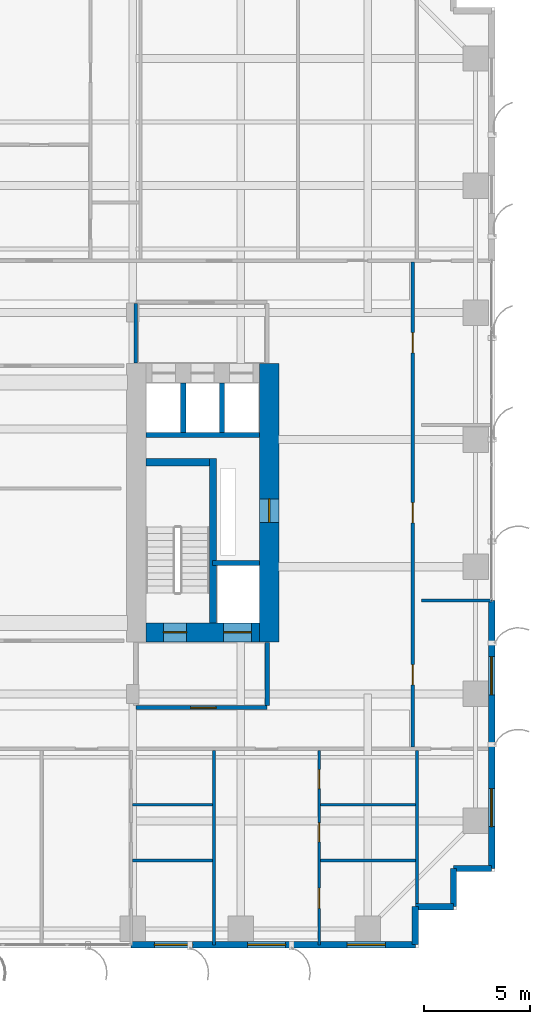
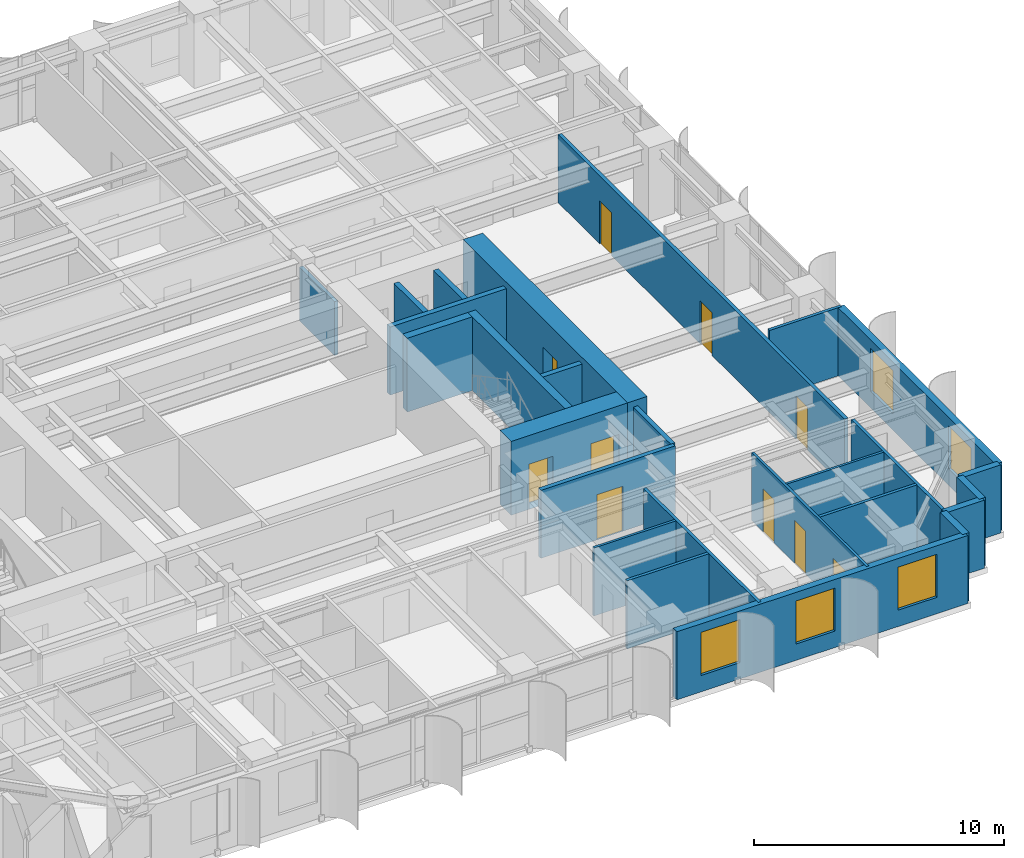
# One storey, part 17 of 23: 26 walls, 10 doors, 5 windows, 15 openings.
"""IFC4 building model written with IfcOpenShell, lengths in metres."""

from ifc_helpers import new_model, si_unit, direction, frame, frame_2d, origin, place, context, subcontext, project, spatial, rectangle, extrude, source, transform, mapped, material, layer, layer_set, type_object, element, fill, save


model = new_model("IFC4")

# Units and contexts
model_context = context("Model", 3, precision=1e-05, world=origin(), true_north=direction((0.0, 1.0)))
body_context = subcontext(model_context, "Body", "Model", "MODEL_VIEW")
ifc_project = project(units=[si_unit("LENGTHUNIT", "METRE"), si_unit("AREAUNIT", "SQUARE_METRE"), si_unit("VOLUMEUNIT", "CUBIC_METRE"), si_unit("PLANEANGLEUNIT", "RADIAN"), si_unit("MASSUNIT", "GRAM", prefix="KILO")], contexts=[model_context])

# Site, building, storey
site_placement = place(None, origin())
site = spatial("IfcSite", under=ifc_project, at=site_placement, CompositionType="ELEMENT")
building_placement = place(site_placement, origin())
building = spatial("IfcBuilding", under=site, at=building_placement, Name="Khoralis Quay Care Tower", CompositionType="ELEMENT")
storey_placement = place(building_placement, frame((0.0, 0.0, 33.300048828125)))
storey = spatial("IfcBuildingStorey", under=building, at=storey_placement, Name="L08", CompositionType="ELEMENT", Elevation=33.300048828125)

# Wall, opening, door
ifc_material_1 = material(Name="Gypsum plasterboard on acoustic metal stud")
ifc_layer_1 = layer(ifc_material_1, 0.199951171875)
ifc_layer_set_1 = layer_set([ifc_layer_1], Name="Gypsum plasterboard on acoustic metal stud")
wall_type_1 = type_object("IfcWallType", Name="WL-COMP-200", PredefinedType="PARTITIONING", material=ifc_layer_set_1)
wall_1_placement = place(storey_placement, frame((31.050048828125, 11.35009765625, 0.0), z_axis=(0.0, 0.0, 1.0), x_axis=(1.0, 0.0, 0.0)))
wall_1 = element("IfcWall", 1, at=wall_1_placement, inside=storey, type_object=wall_type_1, Name="L08 East Firefighting Lobby South Wall", PredefinedType="PARTITIONING", context=body_context, shape_type="SweptSolid", body=[
    extrude(rectangle(XDim=6.199951171875, YDim=0.199951171875, at=frame_2d((3.10009765625, 0.0))), origin(), (0.0, 0.0, 1.0), 3.320068359375),
])
opening_1_placement = place(wall_1_placement, frame((2.585693359375, 0.0, 0.0)))
opening_1 = element("IfcOpeningElement", 2, at=opening_1_placement, cuts=wall_1, Name="Opening FD1", PredefinedType="OPENING", context=body_context, shape_type="SweptSolid", body=[
    extrude(rectangle(XDim=1.199951171875, YDim=2.199951171875, at=frame_2d((0.60009765625, 1.10009765625))), frame((0.0, 0.10986328125, 0.0), z_axis=(0.0, -1.0, 0.0), x_axis=(1.0, 0.0, 0.0)), (0.0, 0.0, 1.0), 0.219970703125),
])
ifc_material_2 = material(Name="Fire-rated painted steel", Category="steel")
door_type_1 = type_object("IfcDoorType", Name="DR-FFL-1200X2200", OperationType="NOTDEFINED", PredefinedType="DOOR", material=ifc_material_2)
shared_shape_1 = source(origin(), body_context, "Body", "SweptSolid", [
    extrude(rectangle(XDim=1.199951171875, YDim=2.199951171875, at=frame_2d((0.60009765625, 1.10009765625))), frame((0.0, 0.02490234375, 0.0), z_axis=(0.0, -1.0, 0.0), x_axis=(1.0, 0.0, 0.0)), (0.0, 0.0, 1.0), 0.050048828125),
])
door_1_placement = place(opening_1_placement, origin())
door_1 = element("IfcDoor", 3, at=door_1_placement, inside=storey, type_object=door_type_1, Name="L08 East Firefighting Lobby Fire Door", OperationType="SINGLE_SWING_LEFT", OverallHeight=2.199951171875, OverallWidth=1.199951171875, PredefinedType="DOOR", context=body_context, shape_type="MappedRepresentation", body=[
    mapped(shared_shape_1, transform((0.0, 0.0, 0.0), scale=1.0)),
])
fill(opening_1, door_1)

# Wall
wall_2_placement = place(storey_placement, frame((37.25, 11.445068359375, 0.0), z_axis=(0.0, 0.0, 1.0), x_axis=(0.0, 1.0, 0.0)))
element("IfcWall", 4, at=wall_2_placement, inside=storey, type_object=wall_type_1, Name="L08 East Firefighting Lobby East Wall", PredefinedType="PARTITIONING", context=body_context, shape_type="SweptSolid", body=[
    extrude(rectangle(XDim=2.98486328125, YDim=0.199951171875, at=frame_2d((1.492431640625, 0.0))), origin(), (0.0, 0.0, 1.0), 3.320068359375),
])

# Wall, opening, door
ifc_material_3 = material(Name="Concrete C80/95", Category="concrete")
ifc_layer_2 = layer(ifc_material_3, 0.89990234375)
ifc_layer_set_2 = layer_set([ifc_layer_2], Name="Concrete C80/95")
wall_type_2 = type_object("IfcWallType", Name="WL-CORE-900", PredefinedType="SHEAR", material=ifc_layer_set_2)
wall_3_placement = place(storey_placement, frame((37.35009765625, 14.449951171875, 0.0), z_axis=(0.0, 0.0, 1.0), x_axis=(0.0, 1.0, 0.0)))
wall_3 = element("IfcWall", 5, at=wall_3_placement, inside=storey, type_object=wall_type_2, Name="L08 ECORE East Shear Wall", PredefinedType="SHEAR", context=body_context, shape_type="SweptSolid", body=[
    extrude(rectangle(XDim=13.150146484375, YDim=0.89990234375, at=frame_2d((6.5751953125, 0.0))), origin(), (0.0, 0.0, 1.0), 3.599853515625),
])
opening_2_placement = place(wall_3_placement, frame((5.64990234375, 0.0, 0.0)))
opening_2 = element("IfcOpeningElement", 6, at=opening_2_placement, cuts=wall_3, Name="Opening SD1", PredefinedType="OPENING", context=body_context, shape_type="SweptSolid", body=[
    extrude(rectangle(XDim=1.10009765625, YDim=2.199951171875, at=frame_2d((0.550048828125, 1.10009765625))), frame((0.0, 0.4599609375, 0.0), z_axis=(0.0, -1.0, 0.0), x_axis=(1.0, 0.0, 0.0)), (0.0, 0.0, 1.0), 0.919921875),
])
door_type_2 = type_object("IfcDoorType", Name="DR-STAIR-1100X2200", OperationType="NOTDEFINED", PredefinedType="DOOR", material=ifc_material_2)
shared_shape_2 = source(origin(), body_context, "Body", "SweptSolid", [
    extrude(rectangle(XDim=1.10009765625, YDim=2.199951171875, at=frame_2d((0.550048828125, 1.10009765625))), frame((0.0, 0.02490234375, 0.0), z_axis=(0.0, -1.0, 0.0), x_axis=(1.0, 0.0, 0.0)), (0.0, 0.0, 1.0), 0.050048828125),
])
door_2_placement = place(opening_2_placement, frame((1.10009765625, 0.0, 0.0), z_axis=(0.0, 0.0, 1.0), x_axis=(-1.0, 0.0, 0.0)))
door_2 = element("IfcDoor", 7, at=door_2_placement, inside=storey, type_object=door_type_2, Name="L08 East MEP Riser Door", OperationType="SINGLE_SWING_LEFT", OverallHeight=2.199951171875, OverallWidth=1.10009765625, PredefinedType="DOOR", context=body_context, shape_type="MappedRepresentation", body=[
    mapped(shared_shape_2, transform((0.0, 0.0, 0.0), scale=1.0)),
])
fill(opening_2, door_2)

# Wall, openings, doors
wall_4_placement = place(storey_placement, frame((31.52001953125, 14.89990234375, 0.0), z_axis=(0.0, 0.0, 1.0), x_axis=(1.0, 0.0, 0.0)))
wall_4 = element("IfcWall", 8, at=wall_4_placement, inside=storey, type_object=wall_type_2, Name="L08 ECORE South Shear Wall", PredefinedType="SHEAR", context=body_context, shape_type="SweptSolid", body=[
    extrude(rectangle(XDim=5.3798828125, YDim=0.89990234375, at=frame_2d((2.68994140625, 0.0))), origin(), (0.0, 0.0, 1.0), 3.599853515625),
])
opening_3_placement = place(wall_4_placement, frame((0.830078125, 0.0, 0.0)))
opening_3 = element("IfcOpeningElement", 9, at=opening_3_placement, cuts=wall_4, Name="Opening SD1", PredefinedType="OPENING", context=body_context, shape_type="SweptSolid", body=[
    extrude(rectangle(XDim=1.10009765625, YDim=2.199951171875, at=frame_2d((0.550048828125, 1.10009765625))), frame((0.0, 0.4599609375, 0.0), z_axis=(0.0, -1.0, 0.0), x_axis=(1.0, 0.0, 0.0)), (0.0, 0.0, 1.0), 0.919921875),
])
opening_4_placement = place(wall_4_placement, frame((3.679931640625, 0.0, 0.0)))
opening_4 = element("IfcOpeningElement", 10, at=opening_4_placement, cuts=wall_4, Name="Opening LD2", PredefinedType="OPENING", context=body_context, shape_type="SweptSolid", body=[
    extrude(rectangle(XDim=1.300048828125, YDim=2.199951171875, at=frame_2d((0.64990234375, 1.10009765625))), frame((0.0, 0.4599609375, 0.0), z_axis=(0.0, -1.0, 0.0), x_axis=(1.0, 0.0, 0.0)), (0.0, 0.0, 1.0), 0.919921875),
])
door_3_placement = place(opening_3_placement, origin())
door_3 = element("IfcDoor", 11, at=door_3_placement, inside=storey, type_object=door_type_2, Name="L08 Stair ST-T2 Fire Door", OperationType="SINGLE_SWING_LEFT", OverallHeight=2.199951171875, OverallWidth=1.10009765625, PredefinedType="DOOR", context=body_context, shape_type="MappedRepresentation", body=[
    mapped(shared_shape_2, transform((0.0, 0.0, 0.0), scale=1.0)),
])
fill(opening_3, door_3)
ifc_material_4 = material(Name="Brushed stainless steel", Category="steel")
door_type_3 = type_object("IfcDoorType", Name="DR-LIFT-1300X2200", OperationType="SLIDING_TO_RIGHT", PredefinedType="DOOR", material=ifc_material_4)
shared_shape_3 = source(origin(), body_context, "Body", "SweptSolid", [
    extrude(rectangle(XDim=1.300048828125, YDim=2.199951171875, at=frame_2d((0.64990234375, 1.10009765625))), frame((0.0, 0.02490234375, 0.0), z_axis=(0.0, -1.0, 0.0), x_axis=(1.0, 0.0, 0.0)), (0.0, 0.0, 1.0), 0.050048828125),
])
door_4_placement = place(opening_4_placement, origin())
door_4 = element("IfcDoor", 12, at=door_4_placement, inside=storey, type_object=door_type_3, Name="L08 Firefighting Lift FFL-2 Landing Door", OperationType="SLIDING_TO_RIGHT", OverallHeight=2.199951171875, OverallWidth=1.300048828125, PredefinedType="DOOR", context=body_context, shape_type="MappedRepresentation", body=[
    mapped(shared_shape_3, transform((0.0, 0.0, 0.0), scale=1.0)),
])
fill(opening_4, door_4)

# Wall
ifc_layer_3 = layer(ifc_material_1, 0.1650390625)
ifc_layer_set_3 = layer_set([ifc_layer_3], Name="Gypsum plasterboard on acoustic metal stud")
wall_type_3 = type_object("IfcWallType", Name="WL-CORR-165", PredefinedType="PARTITIONING", material=ifc_layer_set_3)
wall_5_placement = place(storey_placement, frame((31.050048828125, 27.6201171875, 0.0), z_axis=(0.0, 0.0, 1.0), x_axis=(0.0, 1.0, 0.0)))
element("IfcWall", 13, at=wall_5_placement, inside=storey, type_object=wall_type_3, Name="L08 East Lift Lobby West Wall", PredefinedType="PARTITIONING", context=body_context, shape_type="SweptSolid", body=[
    extrude(rectangle(XDim=2.802490234375, YDim=0.1650390625, at=frame_2d((1.4013671875, 0.0))), origin(), (0.0, 0.0, 1.0), 2.625),
])

# Wall, openings, doors
wall_6_placement = place(storey_placement, frame((44.1201171875, 9.4775390625, 0.0), z_axis=(0.0, 0.0, 1.0), x_axis=(0.0, 1.0, 0.0)))
wall_6 = element("IfcWall", 14, at=wall_6_placement, inside=storey, type_object=wall_type_3, Name="L08 East Loop Corridor Wall", PredefinedType="PARTITIONING", context=body_context, shape_type="SweptSolid", body=[
    extrude(rectangle(XDim=22.905029296875, YDim=0.1650390625, at=frame_2d((11.45263671875, 0.0))), origin(), (0.0, 0.0, 1.0), 3.320068359375),
])
opening_5_placement = place(wall_6_placement, frame((2.947509765625, 0.0, 0.0)))
opening_5 = element("IfcOpeningElement", 15, at=opening_5_placement, cuts=wall_6, Name="Opening ID1", PredefinedType="OPENING", context=body_context, shape_type="SweptSolid", body=[
    extrude(rectangle(XDim=0.949951171875, YDim=2.10009765625, at=frame_2d((0.47509765625, 1.050048828125))), frame((0.0, 0.092529296875, 0.0), z_axis=(0.0, -1.0, 0.0), x_axis=(1.0, 0.0, 0.0)), (0.0, 0.0, 1.0), 0.18505859375),
])
opening_6_placement = place(wall_6_placement, frame((10.597412109375, 0.0, 0.0)))
opening_6 = element("IfcOpeningElement", 16, at=opening_6_placement, cuts=wall_6, Name="Opening ID1", PredefinedType="OPENING", context=body_context, shape_type="SweptSolid", body=[
    extrude(rectangle(XDim=0.949951171875, YDim=2.10009765625, at=frame_2d((0.47509765625, 1.050048828125))), frame((0.0, 0.092529296875, 0.0), z_axis=(0.0, -1.0, 0.0), x_axis=(1.0, 0.0, 0.0)), (0.0, 0.0, 1.0), 0.18505859375),
])
opening_7_placement = place(wall_6_placement, frame((18.62744140625, 0.0, 0.0)))
opening_7 = element("IfcOpeningElement", 17, at=opening_7_placement, cuts=wall_6, Name="Opening ID1", PredefinedType="OPENING", context=body_context, shape_type="SweptSolid", body=[
    extrude(rectangle(XDim=0.949951171875, YDim=2.10009765625, at=frame_2d((0.47509765625, 1.050048828125))), frame((0.0, 0.092529296875, 0.0), z_axis=(0.0, -1.0, 0.0), x_axis=(1.0, 0.0, 0.0)), (0.0, 0.0, 1.0), 0.18505859375),
])
ifc_material_5 = material(Name="Acoustic hardwood timber", Category="wood")
door_type_4 = type_object("IfcDoorType", Name="DR-ROOM-950X2100", OperationType="NOTDEFINED", PredefinedType="DOOR", material=ifc_material_5)
shared_shape_4 = source(origin(), body_context, "Body", "SweptSolid", [
    extrude(rectangle(XDim=0.949951171875, YDim=2.10009765625, at=frame_2d((0.47509765625, 1.050048828125))), frame((0.0, 0.02490234375, 0.0), z_axis=(0.0, -1.0, 0.0), x_axis=(1.0, 0.0, 0.0)), (0.0, 0.0, 1.0), 0.050048828125),
])
door_5_placement = place(opening_5_placement, frame((0.949951171875, 0.0, 0.0), z_axis=(0.0, 0.0, 1.0), x_axis=(-1.0, 0.0, 0.0)))
door_5 = element("IfcDoor", 18, at=door_5_placement, inside=storey, type_object=door_type_4, Name="L08 Therapy Consultation Room Door", OperationType="SINGLE_SWING_LEFT", OverallHeight=2.10009765625, OverallWidth=0.949951171875, PredefinedType="DOOR", context=body_context, shape_type="MappedRepresentation", body=[
    mapped(shared_shape_4, transform((0.0, 0.0, 0.0), scale=1.0)),
])
fill(opening_5, door_5)
door_6_placement = place(opening_6_placement, frame((0.949951171875, 0.0, 0.0), z_axis=(0.0, 0.0, 1.0), x_axis=(-1.0, 0.0, 0.0)))
door_6 = element("IfcDoor", 19, at=door_6_placement, inside=storey, type_object=door_type_4, Name="L08 Assisted Activity Lounge Door", OperationType="SINGLE_SWING_RIGHT", OverallHeight=2.10009765625, OverallWidth=0.949951171875, PredefinedType="DOOR", context=body_context, shape_type="MappedRepresentation", body=[
    mapped(shared_shape_4, transform((0.0, 0.0, 0.0), scale=1.0)),
])
fill(opening_6, door_6)
door_7_placement = place(opening_7_placement, frame((0.949951171875, 0.0, 0.0), z_axis=(0.0, 0.0, 1.0), x_axis=(-1.0, 0.0, 0.0)))
door_7 = element("IfcDoor", 20, at=door_7_placement, inside=storey, type_object=door_type_4, Name="L08 Nurse Charting Office Door", OperationType="SINGLE_SWING_LEFT", OverallHeight=2.10009765625, OverallWidth=0.949951171875, PredefinedType="DOOR", context=body_context, shape_type="MappedRepresentation", body=[
    mapped(shared_shape_4, transform((0.0, 0.0, 0.0), scale=1.0)),
])
fill(opening_7, door_7)

# Wall, openings, windows
ifc_material_6 = material(Name="Precast concrete C45/55", Category="concrete")
ifc_layer_4 = layer(ifc_material_6, 0.300048828125)
ifc_layer_set_4 = layer_set([ifc_layer_4], Name="Precast concrete C45/55")
wall_type_4 = type_object("IfcWallType", Name="WL-EXT-REF-300", PredefinedType="SOLIDWALL", material=ifc_layer_set_4)
wall_7_placement = place(storey_placement, frame((30.827880859375, 0.14990234375, 0.0), z_axis=(0.0, 0.0, 1.0), x_axis=(1.0, 0.0, 0.0)))
wall_7 = element("IfcWall", 21, at=wall_7_placement, inside=storey, type_object=wall_type_4, Name="L08 External Facade Wall WL-EXT-L08-P1-E0B", PredefinedType="SOLIDWALL", context=body_context, shape_type="SweptSolid", body=[
    extrude(rectangle(XDim=13.422119140625, YDim=0.300048828125, at=frame_2d((6.7109375, 0.0))), origin(), (0.0, 0.0, 1.0), 3.320068359375),
])
opening_8_placement = place(wall_7_placement, frame((1.10107421875, 0.0, 0.800048828125)))
opening_8 = element("IfcOpeningElement", 22, at=opening_8_placement, cuts=wall_7, Name="Opening W2", PredefinedType="OPENING", context=body_context, shape_type="SweptSolid", body=[
    extrude(rectangle(XDim=1.800048828125, YDim=2.10009765625, at=frame_2d((0.89990234375, 1.050048828125))), frame((0.0, 0.16015625, 0.0), z_axis=(0.0, -1.0, 0.0), x_axis=(1.0, 0.0, 0.0)), (0.0, 0.0, 1.0), 0.320068359375),
])
opening_9_placement = place(wall_7_placement, frame((5.49560546875, 0.0, 0.800048828125)))
opening_9 = element("IfcOpeningElement", 23, at=opening_9_placement, cuts=wall_7, Name="Opening W2", PredefinedType="OPENING", context=body_context, shape_type="SweptSolid", body=[
    extrude(rectangle(XDim=1.800048828125, YDim=2.10009765625, at=frame_2d((0.89990234375, 1.050048828125))), frame((0.0, 0.16015625, 0.0), z_axis=(0.0, -1.0, 0.0), x_axis=(1.0, 0.0, 0.0)), (0.0, 0.0, 1.0), 0.320068359375),
])
opening_10_placement = place(wall_7_placement, frame((10.20556640625, 0.0, 0.800048828125)))
opening_10 = element("IfcOpeningElement", 24, at=opening_10_placement, cuts=wall_7, Name="Opening W2", PredefinedType="OPENING", context=body_context, shape_type="SweptSolid", body=[
    extrude(rectangle(XDim=1.800048828125, YDim=2.10009765625, at=frame_2d((0.89990234375, 1.050048828125))), frame((0.0, 0.16015625, 0.0), z_axis=(0.0, -1.0, 0.0), x_axis=(1.0, 0.0, 0.0)), (0.0, 0.0, 1.0), 0.320068359375),
])
ifc_material_7 = material(Name="Low-E solar-control double glazing", Category="glass")
window_type = type_object("IfcWindowType", Name="WN-POD-1800X2100", PartitioningType="SINGLE_PANEL", PredefinedType="WINDOW", material=ifc_material_7)
shared_shape_5 = source(origin(), body_context, "Body", "SweptSolid", [
    extrude(rectangle(XDim=1.800048828125, YDim=2.10009765625, at=frame_2d((0.89990234375, 1.050048828125))), frame((0.0, 0.030029296875, 0.0), z_axis=(0.0, -1.0, 0.0), x_axis=(1.0, 0.0, 0.0)), (0.0, 0.0, 1.0), 0.06005859375),
])
window_1_placement = place(opening_8_placement, origin())
window_1 = element("IfcWindow", 25, at=window_1_placement, inside=storey, type_object=window_type, Name="WN-L08-P1-E0B Facade Window 01", OverallHeight=2.10009765625, OverallWidth=1.800048828125, PartitioningType="SINGLE_PANEL", PredefinedType="WINDOW", context=body_context, shape_type="MappedRepresentation", body=[
    mapped(shared_shape_5, transform((0.0, 0.0, 0.0), scale=1.0)),
])
fill(opening_8, window_1)
window_2_placement = place(opening_9_placement, origin())
window_2 = element("IfcWindow", 26, at=window_2_placement, inside=storey, type_object=window_type, Name="WN-L08-P1-E0B Facade Window 02", OverallHeight=2.10009765625, OverallWidth=1.800048828125, PartitioningType="SINGLE_PANEL", PredefinedType="WINDOW", context=body_context, shape_type="MappedRepresentation", body=[
    mapped(shared_shape_5, transform((0.0, 0.0, 0.0), scale=1.0)),
])
fill(opening_9, window_2)
window_3_placement = place(opening_10_placement, origin())
window_3 = element("IfcWindow", 27, at=window_3_placement, inside=storey, type_object=window_type, Name="WN-L08-P1-E0B Facade Window 03", OverallHeight=2.10009765625, OverallWidth=1.800048828125, PartitioningType="SINGLE_PANEL", PredefinedType="WINDOW", context=body_context, shape_type="MappedRepresentation", body=[
    mapped(shared_shape_5, transform((0.0, 0.0, 0.0), scale=1.0)),
])
fill(opening_10, window_3)

# Walls
for number, where, z_axis, x_axis, name in (
    (28, (44.25, 0.14990234375, 0.0), (0.0, 0.0, 1.0), (0.0, 1.0, 0.0), "L08 External Facade Wall WL-EXT-L08-P1-C1"),
    (29, (44.25, 1.949951171875, 0.0), (0.0, 0.0, 1.0), (1.0, 0.0, 0.0), "L08 External Facade Wall WL-EXT-L08-P1-C2"),
    (30, (46.050048828125, 1.949951171875, 0.0), (0.0, 0.0, 1.0), (0.0, 1.0, 0.0), "L08 External Facade Wall WL-EXT-L08-P1-C3"),
    (31, (46.050048828125, 3.75, 0.0), (0.0, 0.0, 1.0), (1.0, 0.0, 0.0), "L08 External Facade Wall WL-EXT-L08-P1-C4"),
):
    element("IfcWall", number, at=place(storey_placement, frame(where, z_axis=z_axis, x_axis=x_axis)), inside=storey, type_object=wall_type_4, Name=name, PredefinedType="SOLIDWALL", context=body_context, shape_type="SweptSolid", body=[
        extrude(rectangle(XDim=1.800048828125, YDim=0.300048828125, at=frame_2d((0.89990234375, 0.0))), origin(), (0.0, 0.0, 1.0), 3.320068359375),
    ])

# Wall, openings, windows
wall_8_placement = place(storey_placement, frame((47.85009765625, 3.75, 0.0), z_axis=(0.0, 0.0, 1.0), x_axis=(0.0, 1.0, 0.0)))
wall_8 = element("IfcWall", 32, at=wall_8_placement, inside=storey, type_object=wall_type_4, Name="L08 External Facade Wall WL-EXT-L08-P1-E5A", PredefinedType="SOLIDWALL", context=body_context, shape_type="SweptSolid", body=[
    extrude(rectangle(XDim=12.64990234375, YDim=0.300048828125, at=frame_2d((6.324951171875, 0.0))), origin(), (0.0, 0.0, 1.0), 3.320068359375),
])
opening_11_placement = place(wall_8_placement, frame((1.97509765625, 0.0, 0.800048828125)))
opening_11 = element("IfcOpeningElement", 33, at=opening_11_placement, cuts=wall_8, Name="Opening W2", PredefinedType="OPENING", context=body_context, shape_type="SweptSolid", body=[
    extrude(rectangle(XDim=1.800048828125, YDim=2.10009765625, at=frame_2d((0.89990234375, 1.050048828125))), frame((0.0, 0.16015625, 0.0), z_axis=(0.0, -1.0, 0.0), x_axis=(1.0, 0.0, 0.0)), (0.0, 0.0, 1.0), 0.320068359375),
])
opening_12_placement = place(wall_8_placement, frame((8.199951171875, 0.0, 0.800048828125)))
opening_12 = element("IfcOpeningElement", 34, at=opening_12_placement, cuts=wall_8, Name="Opening W2", PredefinedType="OPENING", context=body_context, shape_type="SweptSolid", body=[
    extrude(rectangle(XDim=1.800048828125, YDim=2.10009765625, at=frame_2d((0.89990234375, 1.050048828125))), frame((0.0, 0.16015625, 0.0), z_axis=(0.0, -1.0, 0.0), x_axis=(1.0, 0.0, 0.0)), (0.0, 0.0, 1.0), 0.320068359375),
])
window_4_placement = place(opening_11_placement, origin())
window_4 = element("IfcWindow", 35, at=window_4_placement, inside=storey, type_object=window_type, Name="WN-L08-P1-E5A Facade Window 01", OverallHeight=2.10009765625, OverallWidth=1.800048828125, PartitioningType="SINGLE_PANEL", PredefinedType="WINDOW", context=body_context, shape_type="MappedRepresentation", body=[
    mapped(shared_shape_5, transform((0.0, 0.0, 0.0), scale=1.0)),
])
fill(opening_11, window_4)
window_5_placement = place(opening_12_placement, origin())
window_5 = element("IfcWindow", 36, at=window_5_placement, inside=storey, type_object=window_type, Name="WN-L08-P1-E5A Facade Window 02", OverallHeight=2.10009765625, OverallWidth=1.800048828125, PartitioningType="SINGLE_PANEL", PredefinedType="WINDOW", context=body_context, shape_type="MappedRepresentation", body=[
    mapped(shared_shape_5, transform((0.0, 0.0, 0.0), scale=1.0)),
])
fill(opening_12, window_5)

# Wall
ifc_layer_5 = layer(ifc_material_1, 0.114990234375)
ifc_layer_set_5 = layer_set([ifc_layer_5], Name="Gypsum plasterboard on acoustic metal stud")
wall_type_5 = type_object("IfcWallType", Name="WL-PART-115", PredefinedType="PARTITIONING", material=ifc_layer_set_5)
wall_9_placement = place(storey_placement, frame((30.880615234375, 6.76806640625, 0.0), z_axis=(0.0, 0.0, 1.0), x_axis=(1.0, 0.0, 0.0)))
element("IfcWall", 37, at=wall_9_placement, inside=storey, type_object=wall_type_5, Name="L08 Unit 3 Kitchen Wall", PredefinedType="PARTITIONING", context=body_context, shape_type="SweptSolid", body=[
    extrude(rectangle(XDim=3.784423828125, YDim=0.114990234375, at=frame_2d((1.89208984375, 0.0))), origin(), (0.0, 0.0, 1.0), 3.320068359375),
])

# Wall, openings, doors
wall_10_placement = place(storey_placement, frame((39.717041015625, 0.14501953125, 0.0), z_axis=(0.0, 0.0, 1.0), x_axis=(0.0, 1.0, 0.0)))
wall_10 = element("IfcWall", 38, at=wall_10_placement, inside=storey, type_object=wall_type_5, Name="L08 Unit 4 Internal Wall", PredefinedType="PARTITIONING", context=body_context, shape_type="SweptSolid", body=[
    extrude(rectangle(XDim=9.177490234375, YDim=0.114990234375, at=frame_2d((4.5888671875, 0.0))), origin(), (0.0, 0.0, 1.0), 3.320068359375),
])
opening_13_placement = place(wall_10_placement, frame((1.722900390625, 0.0, 0.0)))
opening_13 = element("IfcOpeningElement", 39, at=opening_13_placement, cuts=wall_10, Name="Opening ID1", PredefinedType="OPENING", context=body_context, shape_type="SweptSolid", body=[
    extrude(rectangle(XDim=0.949951171875, YDim=2.10009765625, at=frame_2d((0.47509765625, 1.050048828125))), frame((0.0, 0.0673828125, 0.0), z_axis=(0.0, -1.0, 0.0), x_axis=(1.0, 0.0, 0.0)), (0.0, 0.0, 1.0), 0.135009765625),
])
opening_14_placement = place(wall_10_placement, frame((4.85693359375, 0.0, 0.0)))
opening_14 = element("IfcOpeningElement", 40, at=opening_14_placement, cuts=wall_10, Name="Opening WD1", PredefinedType="OPENING", context=body_context, shape_type="SweptSolid", body=[
    extrude(rectangle(XDim=0.89990234375, YDim=2.10009765625, at=frame_2d((0.449951171875, 1.050048828125))), frame((0.0, 0.0673828125, 0.0), z_axis=(0.0, -1.0, 0.0), x_axis=(1.0, 0.0, 0.0)), (0.0, 0.0, 1.0), 0.135009765625),
])
opening_15_placement = place(wall_10_placement, frame((7.3740234375, 0.0, 0.0)))
opening_15 = element("IfcOpeningElement", 41, at=opening_15_placement, cuts=wall_10, Name="Opening WD1", PredefinedType="OPENING", context=body_context, shape_type="SweptSolid", body=[
    extrude(rectangle(XDim=0.89990234375, YDim=2.10009765625, at=frame_2d((0.449951171875, 1.050048828125))), frame((0.0, 0.0673828125, 0.0), z_axis=(0.0, -1.0, 0.0), x_axis=(1.0, 0.0, 0.0)), (0.0, 0.0, 1.0), 0.135009765625),
])
door_type_5 = type_object("IfcDoorType", Name="DR-BATH-900X2100", OperationType="NOTDEFINED", PredefinedType="DOOR", material=ifc_material_5)
shared_shape_6 = source(origin(), body_context, "Body", "SweptSolid", [
    extrude(rectangle(XDim=0.89990234375, YDim=2.10009765625, at=frame_2d((0.449951171875, 1.050048828125))), frame((0.0, 0.02490234375, 0.0), z_axis=(0.0, -1.0, 0.0), x_axis=(1.0, 0.0, 0.0)), (0.0, 0.0, 1.0), 0.050048828125),
])
door_8_placement = place(opening_14_placement, frame((0.89990234375, 0.0, 0.0), z_axis=(0.0, 0.0, 1.0), x_axis=(-1.0, 0.0, 0.0)))
door_8 = element("IfcDoor", 42, at=door_8_placement, inside=storey, type_object=door_type_5, Name="L08 Apartment SB4 KIT Door", OperationType="SINGLE_SWING_RIGHT", OverallHeight=2.10009765625, OverallWidth=0.89990234375, PredefinedType="DOOR", context=body_context, shape_type="MappedRepresentation", body=[
    mapped(shared_shape_6, transform((0.0, 0.0, 0.0), scale=1.0)),
])
fill(opening_14, door_8)
door_9_placement = place(opening_15_placement, frame((0.89990234375, 0.0, 0.0), z_axis=(0.0, 0.0, 1.0), x_axis=(-1.0, 0.0, 0.0)))
door_9 = element("IfcDoor", 43, at=door_9_placement, inside=storey, type_object=door_type_5, Name="L08 Apartment SB4 BTH Door", OperationType="SINGLE_SWING_LEFT", OverallHeight=2.10009765625, OverallWidth=0.89990234375, PredefinedType="DOOR", context=body_context, shape_type="MappedRepresentation", body=[
    mapped(shared_shape_6, transform((0.0, 0.0, 0.0), scale=1.0)),
])
fill(opening_15, door_9)
door_10_placement = place(opening_13_placement, frame((0.949951171875, 0.0, 0.0), z_axis=(0.0, 0.0, 1.0), x_axis=(-1.0, 0.0, 0.0)))
door_10 = element("IfcDoor", 44, at=door_10_placement, inside=storey, type_object=door_type_4, Name="L08 Apartment SB4 BED Door", OperationType="SINGLE_SWING_LEFT", OverallHeight=2.10009765625, OverallWidth=0.949951171875, PredefinedType="DOOR", context=body_context, shape_type="MappedRepresentation", body=[
    mapped(shared_shape_4, transform((0.0, 0.0, 0.0), scale=1.0)),
])
fill(opening_13, door_10)

# Walls
wall_11_placement = place(storey_placement, frame((39.76953125, 6.76806640625, 0.0), z_axis=(0.0, 0.0, 1.0), x_axis=(1.0, 0.0, 0.0)))
element("IfcWall", 45, at=wall_11_placement, inside=storey, type_object=wall_type_5, Name="L08 Unit 4 Kitchen Wall", PredefinedType="PARTITIONING", context=body_context, shape_type="SweptSolid", body=[
    extrude(rectangle(XDim=4.4853515625, YDim=0.114990234375, at=frame_2d((2.24267578125, 0.0))), origin(), (0.0, 0.0, 1.0), 3.320068359375),
])
ifc_material_8 = material(Name="Moisture-resistant gypsum and ceramic tile")
ifc_layer_6 = layer(ifc_material_8, 0.280029296875)
ifc_layer_set_6 = layer_set([ifc_layer_6], Name="Moisture-resistant gypsum and ceramic tile")
wall_type_6 = type_object("IfcWallType", Name="WL-PLUMB-280", PredefinedType="PLUMBINGWALL", material=ifc_layer_set_6)
wall_12_placement = place(storey_placement, frame((30.880615234375, 4.135986328125, 0.0), z_axis=(0.0, 0.0, 1.0), x_axis=(1.0, 0.0, 0.0)))
element("IfcWall", 46, at=wall_12_placement, inside=storey, type_object=wall_type_6, Name="L08 Unit 3 Wet Wall", PredefinedType="PLUMBINGWALL", context=body_context, shape_type="SweptSolid", body=[
    extrude(rectangle(XDim=3.784423828125, YDim=0.139892578125, at=frame_2d((1.89208984375, 0.0))), origin(), (0.0, 0.0, 1.0), 3.320068359375),
])
wall_13_placement = place(storey_placement, frame((39.76953125, 4.135986328125, 0.0), z_axis=(0.0, 0.0, 1.0), x_axis=(1.0, 0.0, 0.0)))
element("IfcWall", 47, at=wall_13_placement, inside=storey, type_object=wall_type_6, Name="L08 Unit 4 Wet Wall", PredefinedType="PLUMBINGWALL", context=body_context, shape_type="SweptSolid", body=[
    extrude(rectangle(XDim=4.4853515625, YDim=0.139892578125, at=frame_2d((2.24267578125, 0.0))), origin(), (0.0, 0.0, 1.0), 3.320068359375),
])
ifc_material_9 = material(Name="Concrete C40/50", Category="concrete")
ifc_layer_7 = layer(ifc_material_9, 0.35009765625)
ifc_layer_set_7 = layer_set([ifc_layer_7], Name="Concrete C40/50")
wall_type_7 = type_object("IfcWallType", Name="WL-SC-CORE-350", PredefinedType="SHEAR", material=ifc_layer_set_7)
wall_14_placement = place(storey_placement, frame((34.695068359375, 15.35009765625, 0.0), z_axis=(0.0, 0.0, 1.0), x_axis=(0.0, 1.0, 0.0)))
element("IfcWall", 48, at=wall_14_placement, inside=storey, type_object=wall_type_7, Name="L08 Stair ST-T2 Shear Baffle Wall East", PredefinedType="SHEAR", context=body_context, shape_type="SweptSolid", body=[
    extrude(rectangle(XDim=7.75, YDim=0.35009765625, at=frame_2d((3.875, 0.0))), origin(), (0.0, 0.0, 1.0), 3.599853515625),
])
wall_15_placement = place(storey_placement, frame((31.52001953125, 22.925048828125, 0.0), z_axis=(0.0, 0.0, 1.0), x_axis=(1.0, 0.0, 0.0)))
element("IfcWall", 49, at=wall_15_placement, inside=storey, type_object=wall_type_7, Name="L08 Stair ST-T2 Shear Baffle Wall North", PredefinedType="SHEAR", context=body_context, shape_type="SweptSolid", body=[
    extrude(rectangle(XDim=3.0, YDim=0.35009765625, at=frame_2d((1.5, 0.0))), origin(), (0.0, 0.0, 1.0), 3.599853515625),
])
ifc_layer_8 = layer(ifc_material_1, 0.239990234375)
ifc_layer_set_8 = layer_set([ifc_layer_8], Name="Gypsum plasterboard on acoustic metal stud")
wall_type_8 = type_object("IfcWallType", Name="WL-SHAFT-240", PredefinedType="PARTITIONING", material=ifc_layer_set_8)
wall_16_placement = place(storey_placement, frame((34.679931640625, 18.169921875, 0.0), z_axis=(0.0, 0.0, 1.0), x_axis=(1.0, 0.0, 0.0)))
element("IfcWall", 50, at=wall_16_placement, inside=storey, type_object=wall_type_8, Name="L08 FFL-2 Shaft Wall North", PredefinedType="PARTITIONING", context=body_context, shape_type="SweptSolid", body=[
    extrude(rectangle(XDim=2.199951171875, YDim=0.239990234375, at=frame_2d((1.10009765625, 0.0))), origin(), (0.0, 0.0, 1.0), 3.320068359375),
])
wall_17_placement = place(storey_placement, frame((31.52001953125, 24.22998046875, 0.0), z_axis=(0.0, 0.0, 1.0), x_axis=(1.0, 0.0, 0.0)))
element("IfcWall", 51, at=wall_17_placement, inside=storey, type_object=wall_type_8, Name="L08 East Passenger Shaft South Wall", PredefinedType="PARTITIONING", context=body_context, shape_type="SweptSolid", body=[
    extrude(rectangle(XDim=5.35986328125, YDim=0.239990234375, at=frame_2d((2.679931640625, 0.0))), origin(), (0.0, 0.0, 1.0), 3.320068359375),
])
for number, where, z_axis, x_axis, name in (
    (52, (33.2900390625, 24.344970703125, 0.0), (0.0, 0.0, 1.0), (0.0, 1.0, 0.0), "L08 East Shaft Divider 1"),
    (53, (35.110107421875, 24.344970703125, 0.0), (0.0, 0.0, 1.0), (0.0, 1.0, 0.0), "L08 East Shaft Divider 2"),
):
    element("IfcWall", number, at=place(storey_placement, frame(where, z_axis=z_axis, x_axis=x_axis)), inside=storey, type_object=wall_type_8, Name=name, PredefinedType="PARTITIONING", context=body_context, shape_type="SweptSolid", body=[
        extrude(rectangle(XDim=2.3349609375, YDim=0.239990234375, at=frame_2d((1.16748046875, 0.0))), origin(), (0.0, 0.0, 1.0), 3.320068359375),
    ])
ifc_layer_9 = layer(ifc_material_1, 0.139892578125)
ifc_layer_set_9 = layer_set([ifc_layer_9], Name="Gypsum plasterboard on acoustic metal stud")
wall_type_9 = type_object("IfcWallType", Name="WL-UNIT-140", PredefinedType="PARTITIONING", material=ifc_layer_set_9)
wall_18_placement = place(storey_placement, frame((44.5400390625, 16.39990234375, 0.0), z_axis=(0.0, 0.0, 1.0), x_axis=(1.0, 0.0, 0.0)))
element("IfcWall", 54, at=wall_18_placement, inside=storey, type_object=wall_type_9, Name="L08 EE Divider 1", PredefinedType="PARTITIONING", context=body_context, shape_type="SweptSolid", body=[
    extrude(rectangle(XDim=3.31494140625, YDim=0.139892578125, at=frame_2d((1.657470703125, 0.0))), origin(), (0.0, 0.0, 1.0), 3.320068359375),
])
wall_19_placement = place(storey_placement, frame((34.72998046875, 0.14501953125, 0.0), z_axis=(0.0, 0.0, 1.0), x_axis=(0.0, 1.0, 0.0)))
element("IfcWall", 55, at=wall_19_placement, inside=storey, type_object=wall_type_9, Name="L08 SB Demising Wall 4", PredefinedType="PARTITIONING", context=body_context, shape_type="SweptSolid", body=[
    extrude(rectangle(XDim=9.177490234375, YDim=0.139892578125, at=frame_2d((4.5888671875, 0.0))), origin(), (0.0, 0.0, 1.0), 3.320068359375),
])
wall_20_placement = place(storey_placement, frame((44.320068359375, 1.945068359375, 0.0), z_axis=(0.0, 0.0, 1.0), x_axis=(0.0, 1.0, 0.0)))
element("IfcWall", 56, at=wall_20_placement, inside=storey, type_object=wall_type_9, Name="L08 SB Demising Wall 5", PredefinedType="PARTITIONING", context=body_context, shape_type="SweptSolid", body=[
    extrude(rectangle(XDim=7.37744140625, YDim=0.139892578125, at=frame_2d((3.688720703125, 0.0))), origin(), (0.0, 0.0, 1.0), 3.320068359375),
])

save(model, "model.ifc")
